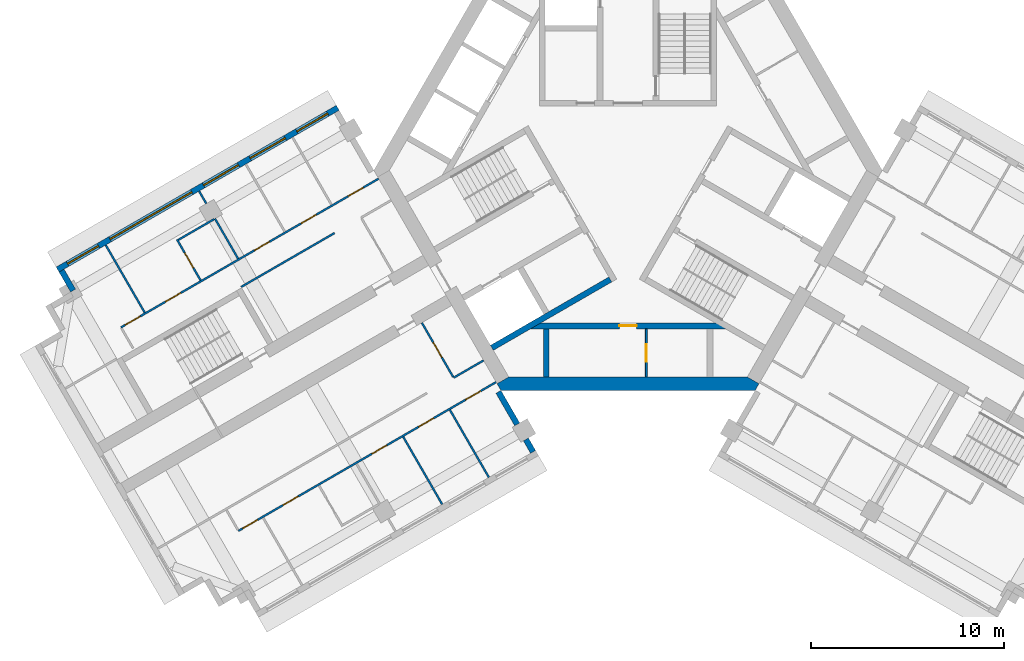
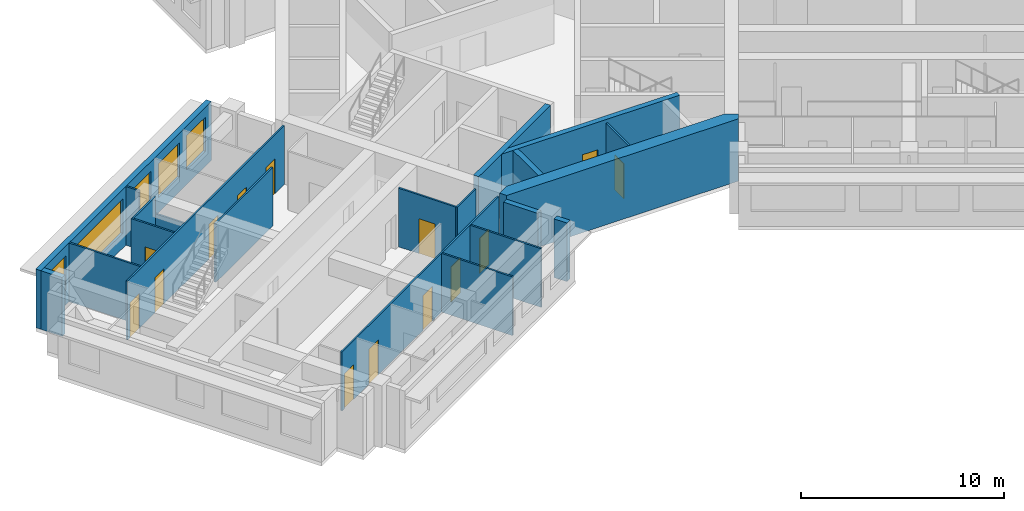
# One storey, part 3 of 10: 21 walls, 14 doors, 5 windows, 19 openings.
"""IFC4 building model written with IfcOpenShell, lengths in metres."""

from ifc_helpers import new_model, si_unit, direction, frame, frame_2d, origin, place, context, subcontext, project, spatial, polyline, rectangle, outline, extrude, material, layer, layer_set, type_object, element, fill, save


model = new_model("IFC4")

# Units and contexts
model_context = context("Model", 3, precision=1e-05, world=origin(), true_north=direction((0.0, 1.0)))
body_context = subcontext(model_context, "Body", "Model", "MODEL_VIEW")
ifc_project = project(units=[si_unit("LENGTHUNIT", "METRE"), si_unit("AREAUNIT", "SQUARE_METRE"), si_unit("VOLUMEUNIT", "CUBIC_METRE"), si_unit("PLANEANGLEUNIT", "RADIAN"), si_unit("MASSUNIT", "GRAM", prefix="KILO")], contexts=[model_context])

# Site, building, storey
site_placement = place(None, origin())
site = spatial("IfcSite", under=ifc_project, at=site_placement, CompositionType="ELEMENT")
building_placement = place(site_placement, origin())
building = spatial("IfcBuilding", under=site, at=building_placement, Name="Impinga Residences", CompositionType="ELEMENT")
storey_placement = place(building_placement, frame((0.0, 0.0, 267.25)))
storey = spatial("IfcBuildingStorey", under=building, at=storey_placement, Name="L67", CompositionType="ELEMENT", Elevation=267.25)

# Wall, opening, door
ifc_material_1 = material(Name="Concrete blockwork", Category="masonry")
ifc_layer_1 = layer(ifc_material_1, 0.10009765625)
ifc_layer_set_1 = layer_set([ifc_layer_1], Name="CP1 core room partition, blockwork 100")
wall_type_1 = type_object("IfcWallType", Name="CP1 core room partition, blockwork 100", PredefinedType="PARTITIONING", material=ifc_layer_set_1)
wall_1_placement = place(storey_placement, frame((0.949951171875, -8.2314453125, 0.0), z_axis=(0.0, 0.0, 1.0), x_axis=(0.0, -1.0, 0.0)))
wall_1 = element("IfcWall", 1, at=wall_1_placement, inside=storey, type_object=wall_type_1, Name="Core room partition, blockwork L67:CORE:low:ZP1", PredefinedType="PARTITIONING", context=body_context, shape_type="SweptSolid", body=[
    extrude(rectangle(XDim=2.5, YDim=0.10009765625, at=frame_2d((1.25, 0.0))), origin(), (0.0, 0.0, 1.0), 3.530029296875),
])
opening_1_placement = place(wall_1_placement, frame((0.800048828125, 0.0, 0.0)))
opening_1 = element("IfcOpeningElement", 2, at=opening_1_placement, cuts=wall_1, Name="Opening D6", PredefinedType="OPENING", context=body_context, shape_type="SweptSolid", body=[
    extrude(rectangle(XDim=0.89990234375, YDim=2.10009765625, at=frame_2d((0.449951171875, 1.050048828125))), frame((0.0, 0.06005859375, 0.0), z_axis=(0.0, -1.0, 0.0), x_axis=(1.0, 0.0, 0.0)), (0.0, 0.0, 1.0), 0.1201171875),
])
ifc_material_2 = material(Name="Timber door set", Category="wood")
door_type_1 = type_object("IfcDoorType", Name="D6 riser and store door 900x2100", OperationType="SINGLE_SWING_LEFT", PredefinedType="DOOR", material=ifc_material_2)
door_1_placement = place(opening_1_placement, origin())
door_1 = element("IfcDoor", 3, at=door_1_placement, inside=storey, type_object=door_type_1, Name="Cleaners' store door", OperationType="SINGLE_SWING_LEFT", OverallHeight=2.10009765625, OverallWidth=0.89990234375, PredefinedType="DOOR", context=body_context, shape_type="SweptSolid", body=[
    extrude(rectangle(XDim=0.89990234375, YDim=2.10009765625, at=frame_2d((0.449951171875, 1.050048828125))), frame((0.0, 0.02490234375, 0.0), z_axis=(0.0, -1.0, 0.0), x_axis=(1.0, 0.0, 0.0)), (0.0, 0.0, 1.0), 0.050048828125),
])
fill(opening_1, door_1)

# Wall
ifc_material_3 = material(Name="Terracotta rainscreen on blockwork", Category="masonry")
ifc_layer_2 = layer(ifc_material_3, 0.300048828125)
ifc_layer_set_2 = layer_set([ifc_layer_2], Name="EW1 external wall, terracotta rainscreen on blockwork 300")
wall_type_2 = type_object("IfcWallType", Name="EW1 external wall, terracotta rainscreen on blockwork 300", PredefinedType="SOLIDWALL", material=ifc_layer_set_2)
wall_2_placement = place(storey_placement, frame((-28.8193359375, -6.24658203125, 0.0), z_axis=(0.0, 0.0, 1.0), x_axis=(-0.500033551112, 0.866006032174, 0.0)))
element("IfcWall", 4, at=wall_2_placement, inside=storey, type_object=wall_type_2, Name="External wall EW1 L67", PredefinedType="SOLIDWALL", context=body_context, shape_type="SweptSolid", body=[
    extrude(rectangle(XDim=1.2001953125, YDim=0.300048828125, at=frame_2d((0.60009765625, 0.0))), origin(), (0.0, 0.0, 1.0), 3.530029296875),
])

# Wall, openings, windows
wall_3_placement = place(storey_placement, frame((-29.624267578125, -5.15234375, 0.0), z_axis=(0.0, 0.0, 1.0), x_axis=(0.86602925447, 0.499993330357, 0.0)))
wall_3 = element("IfcWall", 5, at=wall_3_placement, inside=storey, type_object=wall_type_2, Name="External wall EW1 L67", PredefinedType="SOLIDWALL", context=body_context, shape_type="SweptSolid", body=[
    extrude(rectangle(XDim=16.800048828125, YDim=0.300048828125, at=frame_2d((8.39990234375, 0.0))), origin(), (0.0, 0.0, 1.0), 3.530029296875),
])
opening_2_placement = place(wall_3_placement, frame((0.60009765625, 0.0, 0.89990234375)))
opening_2 = element("IfcOpeningElement", 6, at=opening_2_placement, cuts=wall_3, Name="Opening W15", PredefinedType="OPENING", context=body_context, shape_type="SweptSolid", body=[
    extrude(rectangle(XDim=1.85009765625, YDim=2.050048828125, at=frame_2d((0.925048828125, 1.02490234375))), frame((0.0, 0.159912109375, 0.0), z_axis=(0.0, -1.0, 0.0), x_axis=(1.0, 0.0, 0.0)), (0.0, 0.0, 1.0), 0.320068359375),
])
opening_3_placement = place(wall_3_placement, frame((3.14990234375, 0.0, 0.89990234375)))
opening_3 = element("IfcOpeningElement", 7, at=opening_3_placement, cuts=wall_3, Name="Opening W16", PredefinedType="OPENING", context=body_context, shape_type="SweptSolid", body=[
    extrude(rectangle(XDim=4.89990234375, YDim=2.050048828125, at=frame_2d((2.449951171875, 1.02490234375))), frame((0.0, 0.159912109375, 0.0), z_axis=(0.0, -1.0, 0.0), x_axis=(1.0, 0.0, 0.0)), (0.0, 0.0, 1.0), 0.320068359375),
])
opening_4_placement = place(wall_3_placement, frame((8.75, 0.0, 0.89990234375)))
opening_4 = element("IfcOpeningElement", 8, at=opening_4_placement, cuts=wall_3, Name="Opening W9", PredefinedType="OPENING", context=body_context, shape_type="SweptSolid", body=[
    extrude(rectangle(XDim=2.10009765625, YDim=2.050048828125, at=frame_2d((1.050048828125, 1.02490234375))), frame((0.0, 0.159912109375, 0.0), z_axis=(0.0, -1.0, 0.0), x_axis=(1.0, 0.0, 0.0)), (0.0, 0.0, 1.0), 0.320068359375),
])
opening_5_placement = place(wall_3_placement, frame((11.550048828125, 0.0, 0.89990234375)))
opening_5 = element("IfcOpeningElement", 9, at=opening_5_placement, cuts=wall_3, Name="Opening W9", PredefinedType="OPENING", context=body_context, shape_type="SweptSolid", body=[
    extrude(rectangle(XDim=2.10009765625, YDim=2.050048828125, at=frame_2d((1.050048828125, 1.02490234375))), frame((0.0, 0.159912109375, 0.0), z_axis=(0.0, -1.0, 0.0), x_axis=(1.0, 0.0, 0.0)), (0.0, 0.0, 1.0), 0.320068359375),
])
opening_6_placement = place(wall_3_placement, frame((14.35009765625, 0.0, 0.89990234375)))
opening_6 = element("IfcOpeningElement", 10, at=opening_6_placement, cuts=wall_3, Name="Opening W15", PredefinedType="OPENING", context=body_context, shape_type="SweptSolid", body=[
    extrude(rectangle(XDim=1.85009765625, YDim=2.050048828125, at=frame_2d((0.925048828125, 1.02490234375))), frame((0.0, 0.159912109375, 0.0), z_axis=(0.0, -1.0, 0.0), x_axis=(1.0, 0.0, 0.0)), (0.0, 0.0, 1.0), 0.320068359375),
])
ifc_material_4 = material(Name="Aluminium window, clear double glazing", Category="aluminium")
window_type_1 = type_object("IfcWindowType", Name="W15 ribbon window 1850x2050", PartitioningType="SINGLE_PANEL", PredefinedType="WINDOW", material=ifc_material_4)
window_1_placement = place(opening_2_placement, origin())
window_1 = element("IfcWindow", 11, at=window_1_placement, inside=storey, type_object=window_type_1, Name="Window L67", OverallHeight=2.050048828125, OverallWidth=1.85009765625, PartitioningType="SINGLE_PANEL", PredefinedType="WINDOW", context=body_context, shape_type="SweptSolid", body=[
    extrude(rectangle(XDim=1.85009765625, YDim=2.050048828125, at=frame_2d((0.925048828125, 1.02490234375))), frame((0.0, 0.030029296875, 0.0), z_axis=(0.0, -1.0, 0.0), x_axis=(1.0, 0.0, 0.0)), (0.0, 0.0, 1.0), 0.06005859375),
])
fill(opening_2, window_1)
window_2_placement = place(opening_6_placement, origin())
window_2 = element("IfcWindow", 12, at=window_2_placement, inside=storey, type_object=window_type_1, Name="Window L67", OverallHeight=2.050048828125, OverallWidth=1.85009765625, PartitioningType="SINGLE_PANEL", PredefinedType="WINDOW", context=body_context, shape_type="SweptSolid", body=[
    extrude(rectangle(XDim=1.85009765625, YDim=2.050048828125, at=frame_2d((0.925048828125, 1.02490234375))), frame((0.0, 0.030029296875, 0.0), z_axis=(0.0, -1.0, 0.0), x_axis=(1.0, 0.0, 0.0)), (0.0, 0.0, 1.0), 0.06005859375),
])
fill(opening_6, window_2)
window_type_2 = type_object("IfcWindowType", Name="W16 ribbon window 4900x2050", PartitioningType="SINGLE_PANEL", PredefinedType="WINDOW", material=ifc_material_4)
window_3_placement = place(opening_3_placement, origin())
window_3 = element("IfcWindow", 13, at=window_3_placement, inside=storey, type_object=window_type_2, Name="Window L67", OverallHeight=2.050048828125, OverallWidth=4.89990234375, PartitioningType="SINGLE_PANEL", PredefinedType="WINDOW", context=body_context, shape_type="SweptSolid", body=[
    extrude(rectangle(XDim=4.89990234375, YDim=2.050048828125, at=frame_2d((2.449951171875, 1.02490234375))), frame((0.0, 0.030029296875, 0.0), z_axis=(0.0, -1.0, 0.0), x_axis=(1.0, 0.0, 0.0)), (0.0, 0.0, 1.0), 0.06005859375),
])
fill(opening_3, window_3)
window_type_3 = type_object("IfcWindowType", Name="W9 ribbon window 2100x2050", PartitioningType="SINGLE_PANEL", PredefinedType="WINDOW", material=ifc_material_4)
window_4_placement = place(opening_4_placement, origin())
window_4 = element("IfcWindow", 14, at=window_4_placement, inside=storey, type_object=window_type_3, Name="Window L67", OverallHeight=2.050048828125, OverallWidth=2.10009765625, PartitioningType="SINGLE_PANEL", PredefinedType="WINDOW", context=body_context, shape_type="SweptSolid", body=[
    extrude(rectangle(XDim=2.10009765625, YDim=2.050048828125, at=frame_2d((1.050048828125, 1.02490234375))), frame((0.0, 0.030029296875, 0.0), z_axis=(0.0, -1.0, 0.0), x_axis=(1.0, 0.0, 0.0)), (0.0, 0.0, 1.0), 0.06005859375),
])
fill(opening_4, window_4)
window_5_placement = place(opening_5_placement, origin())
window_5 = element("IfcWindow", 15, at=window_5_placement, inside=storey, type_object=window_type_3, Name="Window L67", OverallHeight=2.050048828125, OverallWidth=2.10009765625, PartitioningType="SINGLE_PANEL", PredefinedType="WINDOW", context=body_context, shape_type="SweptSolid", body=[
    extrude(rectangle(XDim=2.10009765625, YDim=2.050048828125, at=frame_2d((1.050048828125, 1.02490234375))), frame((0.0, 0.030029296875, 0.0), z_axis=(0.0, -1.0, 0.0), x_axis=(1.0, 0.0, 0.0)), (0.0, 0.0, 1.0), 0.06005859375),
])
fill(opening_5, window_5)

# Walls
wall_4_placement = place(storey_placement, frame((-6.72998046875, -11.506591796875, 0.0), z_axis=(0.0, 0.0, 1.0), x_axis=(0.500043961785, -0.866000020948, 0.0)))
element("IfcWall", 16, at=wall_4_placement, inside=storey, type_object=wall_type_2, Name="External wall EW1 L67", PredefinedType="SOLIDWALL", context=body_context, shape_type="SweptSolid", body=[
    extrude(rectangle(XDim=1.949951171875, YDim=0.300048828125, at=frame_2d((0.97509765625, 0.0))), origin(), (0.0, 0.0, 1.0), 3.530029296875),
])
wall_5_placement = place(storey_placement, frame((-5.304931640625, -13.974609375, 0.0), z_axis=(0.0, 0.0, 1.0), x_axis=(0.499919672301, -0.866071776036, 0.0)))
element("IfcWall", 17, at=wall_5_placement, inside=storey, type_object=wall_type_2, Name="External wall EW1 L67", PredefinedType="SOLIDWALL", context=body_context, shape_type="SweptSolid", body=[
    extrude(rectangle(XDim=0.75, YDim=0.300048828125, at=frame_2d((0.375, 0.0))), origin(), (0.0, 0.0, 1.0), 3.530029296875),
])
ifc_material_5 = material(Name="Gypsum board on steel studs", Category="steel")
ifc_layer_3 = layer(ifc_material_5, 0.10009765625)
ifc_layer_set_3 = layer_set([ifc_layer_3], Name="Gypsum board on steel studs")
wall_type_3 = type_object("IfcWallType", Name="IP1 partition 100", PredefinedType="PARTITIONING", material=ifc_layer_set_3)
wall_6_placement = place(storey_placement, frame((-7.5, -9.872802734375, 0.0), z_axis=(0.0, 0.0, 1.0), x_axis=(-0.866047807691, -0.499961193289, 0.0)))
element("IfcWall", 18, at=wall_6_placement, inside=storey, type_object=wall_type_3, Name="Partition L67-WA1:DIV0", PredefinedType="PARTITIONING", context=body_context, shape_type="SweptSolid", body=[
    extrude(rectangle(XDim=1.800048828125, YDim=0.10009765625, at=frame_2d((0.89990234375, 0.0))), origin(), (0.0, 0.0, 1.0), 3.530029296875),
])

# Wall, openings, doors
wall_7_placement = place(storey_placement, frame((-6.85009765625, -10.99853515625, 0.0), z_axis=(0.0, 0.0, 1.0), x_axis=(-0.866019273868, -0.500010617176, 0.0)))
wall_7 = element("IfcWall", 19, at=wall_7_placement, inside=storey, type_object=wall_type_3, Name="Partition L67-WA1:STRIP", PredefinedType="PARTITIONING", context=body_context, shape_type="SweptSolid", body=[
    extrude(rectangle(XDim=15.449951171875, YDim=0.10009765625, at=frame_2d((7.72509765625, 0.0))), origin(), (0.0, 0.0, 1.0), 3.530029296875),
])
opening_7_placement = place(wall_7_placement, frame((0.925048828125, 0.0, 0.0)))
opening_7 = element("IfcOpeningElement", 20, at=opening_7_placement, cuts=wall_7, Name="Opening D2", PredefinedType="OPENING", context=body_context, shape_type="SweptSolid", body=[
    extrude(rectangle(XDim=0.89990234375, YDim=2.10009765625, at=frame_2d((0.449951171875, 1.050048828125))), frame((0.0, 0.06005859375, 0.0), z_axis=(0.0, -1.0, 0.0), x_axis=(1.0, 0.0, 0.0)), (0.0, 0.0, 1.0), 0.1201171875),
])
opening_8_placement = place(wall_7_placement, frame((3.75, 0.0, 0.0)))
opening_8 = element("IfcOpeningElement", 21, at=opening_8_placement, cuts=wall_7, Name="Opening D2", PredefinedType="OPENING", context=body_context, shape_type="SweptSolid", body=[
    extrude(rectangle(XDim=0.89990234375, YDim=2.10009765625, at=frame_2d((0.449951171875, 1.050048828125))), frame((0.0, 0.06005859375, 0.0), z_axis=(0.0, -1.0, 0.0), x_axis=(1.0, 0.0, 0.0)), (0.0, 0.0, 1.0), 0.1201171875),
])
opening_9_placement = place(wall_7_placement, frame((6.550048828125, 0.0, 0.0)))
opening_9 = element("IfcOpeningElement", 22, at=opening_9_placement, cuts=wall_7, Name="Opening D2", PredefinedType="OPENING", context=body_context, shape_type="SweptSolid", body=[
    extrude(rectangle(XDim=0.89990234375, YDim=2.10009765625, at=frame_2d((0.449951171875, 1.050048828125))), frame((0.0, 0.06005859375, 0.0), z_axis=(0.0, -1.0, 0.0), x_axis=(1.0, 0.0, 0.0)), (0.0, 0.0, 1.0), 0.1201171875),
])
opening_10_placement = place(wall_7_placement, frame((11.875, 0.0, 0.0)))
opening_10 = element("IfcOpeningElement", 23, at=opening_10_placement, cuts=wall_7, Name="Opening D2", PredefinedType="OPENING", context=body_context, shape_type="SweptSolid", body=[
    extrude(rectangle(XDim=0.89990234375, YDim=2.10009765625, at=frame_2d((0.449951171875, 1.050048828125))), frame((0.0, 0.06005859375, 0.0), z_axis=(0.0, -1.0, 0.0), x_axis=(1.0, 0.0, 0.0)), (0.0, 0.0, 1.0), 0.1201171875),
])
opening_11_placement = place(wall_7_placement, frame((14.300048828125, 0.0, 0.0)))
opening_11 = element("IfcOpeningElement", 24, at=opening_11_placement, cuts=wall_7, Name="Opening D2", PredefinedType="OPENING", context=body_context, shape_type="SweptSolid", body=[
    extrude(rectangle(XDim=0.89990234375, YDim=2.10009765625, at=frame_2d((0.449951171875, 1.050048828125))), frame((0.0, 0.06005859375, 0.0), z_axis=(0.0, -1.0, 0.0), x_axis=(1.0, 0.0, 0.0)), (0.0, 0.0, 1.0), 0.1201171875),
])
door_type_2 = type_object("IfcDoorType", Name="D2 internal door 900x2100", OperationType="SINGLE_SWING_LEFT", PredefinedType="DOOR", material=ifc_material_2)
door_2_placement = place(opening_7_placement, origin())
door_2 = element("IfcDoor", 25, at=door_2_placement, inside=storey, type_object=door_type_2, Name="Apartment L67-WA1 room door", OperationType="SINGLE_SWING_LEFT", OverallHeight=2.10009765625, OverallWidth=0.89990234375, PredefinedType="DOOR", context=body_context, shape_type="SweptSolid", body=[
    extrude(rectangle(XDim=0.89990234375, YDim=2.10009765625, at=frame_2d((0.449951171875, 1.050048828125))), frame((0.0, 0.02490234375, 0.0), z_axis=(0.0, -1.0, 0.0), x_axis=(1.0, 0.0, 0.0)), (0.0, 0.0, 1.0), 0.050048828125),
])
fill(opening_7, door_2)
door_3_placement = place(opening_8_placement, origin())
door_3 = element("IfcDoor", 26, at=door_3_placement, inside=storey, type_object=door_type_2, Name="Apartment L67-WA1 room door", OperationType="SINGLE_SWING_LEFT", OverallHeight=2.10009765625, OverallWidth=0.89990234375, PredefinedType="DOOR", context=body_context, shape_type="SweptSolid", body=[
    extrude(rectangle(XDim=0.89990234375, YDim=2.10009765625, at=frame_2d((0.449951171875, 1.050048828125))), frame((0.0, 0.02490234375, 0.0), z_axis=(0.0, -1.0, 0.0), x_axis=(1.0, 0.0, 0.0)), (0.0, 0.0, 1.0), 0.050048828125),
])
fill(opening_8, door_3)
door_4_placement = place(opening_9_placement, origin())
door_4 = element("IfcDoor", 27, at=door_4_placement, inside=storey, type_object=door_type_2, Name="Apartment L67-WA1 room door", OperationType="SINGLE_SWING_LEFT", OverallHeight=2.10009765625, OverallWidth=0.89990234375, PredefinedType="DOOR", context=body_context, shape_type="SweptSolid", body=[
    extrude(rectangle(XDim=0.89990234375, YDim=2.10009765625, at=frame_2d((0.449951171875, 1.050048828125))), frame((0.0, 0.02490234375, 0.0), z_axis=(0.0, -1.0, 0.0), x_axis=(1.0, 0.0, 0.0)), (0.0, 0.0, 1.0), 0.050048828125),
])
fill(opening_9, door_4)
door_5_placement = place(opening_10_placement, origin())
door_5 = element("IfcDoor", 28, at=door_5_placement, inside=storey, type_object=door_type_2, Name="Apartment L67-WA1 room door", OperationType="SINGLE_SWING_RIGHT", OverallHeight=2.10009765625, OverallWidth=0.89990234375, PredefinedType="DOOR", context=body_context, shape_type="SweptSolid", body=[
    extrude(rectangle(XDim=0.89990234375, YDim=2.10009765625, at=frame_2d((0.449951171875, 1.050048828125))), frame((0.0, 0.02490234375, 0.0), z_axis=(0.0, -1.0, 0.0), x_axis=(1.0, 0.0, 0.0)), (0.0, 0.0, 1.0), 0.050048828125),
])
fill(opening_10, door_5)
door_6_placement = place(opening_11_placement, origin())
door_6 = element("IfcDoor", 29, at=door_6_placement, inside=storey, type_object=door_type_2, Name="Apartment L67-WA1 room door", OperationType="SINGLE_SWING_RIGHT", OverallHeight=2.10009765625, OverallWidth=0.89990234375, PredefinedType="DOOR", context=body_context, shape_type="SweptSolid", body=[
    extrude(rectangle(XDim=0.89990234375, YDim=2.10009765625, at=frame_2d((0.449951171875, 1.050048828125))), frame((0.0, 0.02490234375, 0.0), z_axis=(0.0, -1.0, 0.0), x_axis=(1.0, 0.0, 0.0)), (0.0, 0.0, 1.0), 0.050048828125),
])
fill(opening_11, door_6)

# Wall, opening, door
wall_8_placement = place(storey_placement, frame((-10.708740234375, -7.914794921875, 0.0), z_axis=(0.0, 0.0, 1.0), x_axis=(0.499984717929, -0.866034226713, 0.0)))
wall_8 = element("IfcWall", 30, at=wall_8_placement, inside=storey, type_object=wall_type_3, Name="Partition L67-WA1:IB1", PredefinedType="PARTITIONING", context=body_context, shape_type="SweptSolid", body=[
    extrude(rectangle(XDim=3.25, YDim=0.10009765625, at=frame_2d((1.625, 0.0))), origin(), (0.0, 0.0, 1.0), 3.530029296875),
])
opening_12_placement = place(wall_8_placement, frame((1.175048828125, 0.0, 0.0)))
opening_12 = element("IfcOpeningElement", 31, at=opening_12_placement, cuts=wall_8, Name="Opening D2", PredefinedType="OPENING", context=body_context, shape_type="SweptSolid", body=[
    extrude(rectangle(XDim=0.89990234375, YDim=2.10009765625, at=frame_2d((0.449951171875, 1.050048828125))), frame((0.0, 0.06005859375, 0.0), z_axis=(0.0, -1.0, 0.0), x_axis=(1.0, 0.0, 0.0)), (0.0, 0.0, 1.0), 0.1201171875),
])
door_7_placement = place(opening_12_placement, origin())
door_7 = element("IfcDoor", 32, at=door_7_placement, inside=storey, type_object=door_type_2, Name="Apartment L67-WA1 bathroom door", OperationType="SINGLE_SWING_LEFT", OverallHeight=2.10009765625, OverallWidth=0.89990234375, PredefinedType="DOOR", context=body_context, shape_type="SweptSolid", body=[
    extrude(rectangle(XDim=0.89990234375, YDim=2.10009765625, at=frame_2d((0.449951171875, 1.050048828125))), frame((0.0, 0.02490234375, 0.0), z_axis=(0.0, -1.0, 0.0), x_axis=(1.0, 0.0, 0.0)), (0.0, 0.0, 1.0), 0.050048828125),
])
fill(opening_12, door_7)

# Walls
wall_9_placement = place(storey_placement, frame((-9.249755859375, -12.44189453125, 0.0), z_axis=(0.0, 0.0, 1.0), x_axis=(0.499990325971, -0.866030989016, 0.0)))
element("IfcWall", 33, at=wall_9_placement, inside=storey, type_object=wall_type_3, Name="Partition L67-WA1:OB1", PredefinedType="PARTITIONING", context=body_context, shape_type="SweptSolid", body=[
    extrude(rectangle(XDim=4.0498046875, YDim=0.10009765625, at=frame_2d((2.02490234375, 0.0))), origin(), (0.0, 0.0, 1.0), 3.530029296875),
])
wall_10_placement = place(storey_placement, frame((-11.6748046875, -13.841796875, 0.0), z_axis=(0.0, 0.0, 1.0), x_axis=(0.500035537042, -0.866004885491, 0.0)))
element("IfcWall", 34, at=wall_10_placement, inside=storey, type_object=wall_type_3, Name="Partition L67-WA1:OB2", PredefinedType="PARTITIONING", context=body_context, shape_type="SweptSolid", body=[
    extrude(rectangle(XDim=4.050048828125, YDim=0.10009765625, at=frame_2d((2.02490234375, 0.0))), origin(), (0.0, 0.0, 1.0), 3.530029296875),
])
wall_11_placement = place(storey_placement, frame((-15.244384765625, -3.2587890625, 0.0), z_axis=(0.0, 0.0, 1.0), x_axis=(-0.866026594901, -0.49999793692, 0.0)))
element("IfcWall", 35, at=wall_11_placement, inside=storey, type_object=wall_type_3, Name="Partition L67-WF1:DIV1", PredefinedType="PARTITIONING", context=body_context, shape_type="SweptSolid", body=[
    extrude(rectangle(XDim=5.60009765625, YDim=0.10009765625, at=frame_2d((2.800048828125, 0.0))), origin(), (0.0, 0.0, 1.0), 3.530029296875),
])

# Wall, openings, doors
wall_12_placement = place(storey_placement, frame((-12.949951171875, -0.43310546875, 0.0), z_axis=(0.0, 0.0, 1.0), x_axis=(-0.866030066916, -0.499991923133, 0.0)))
wall_12 = element("IfcWall", 36, at=wall_12_placement, inside=storey, type_object=wall_type_3, Name="Partition L67-WF1:STRIP", PredefinedType="PARTITIONING", context=body_context, shape_type="SweptSolid", body=[
    extrude(rectangle(XDim=15.449951171875, YDim=0.10009765625, at=frame_2d((7.72509765625, 0.0))), origin(), (0.0, 0.0, 1.0), 3.530029296875),
])
opening_13_placement = place(wall_12_placement, frame((0.925048828125, 0.0, 0.0)))
opening_13 = element("IfcOpeningElement", 37, at=opening_13_placement, cuts=wall_12, Name="Opening D2", PredefinedType="OPENING", context=body_context, shape_type="SweptSolid", body=[
    extrude(rectangle(XDim=0.89990234375, YDim=2.10009765625, at=frame_2d((0.449951171875, 1.050048828125))), frame((0.0, 0.06005859375, 0.0), z_axis=(0.0, -1.0, 0.0), x_axis=(1.0, 0.0, 0.0)), (0.0, 0.0, 1.0), 0.1201171875),
])
opening_14_placement = place(wall_12_placement, frame((3.75, 0.0, 0.0)))
opening_14 = element("IfcOpeningElement", 38, at=opening_14_placement, cuts=wall_12, Name="Opening D2", PredefinedType="OPENING", context=body_context, shape_type="SweptSolid", body=[
    extrude(rectangle(XDim=0.89990234375, YDim=2.10009765625, at=frame_2d((0.449951171875, 1.050048828125))), frame((0.0, 0.06005859375, 0.0), z_axis=(0.0, -1.0, 0.0), x_axis=(1.0, 0.0, 0.0)), (0.0, 0.0, 1.0), 0.1201171875),
])
opening_15_placement = place(wall_12_placement, frame((6.550048828125, 0.0, 0.0)))
opening_15 = element("IfcOpeningElement", 39, at=opening_15_placement, cuts=wall_12, Name="Opening D2", PredefinedType="OPENING", context=body_context, shape_type="SweptSolid", body=[
    extrude(rectangle(XDim=0.89990234375, YDim=2.10009765625, at=frame_2d((0.449951171875, 1.050048828125))), frame((0.0, 0.06005859375, 0.0), z_axis=(0.0, -1.0, 0.0), x_axis=(1.0, 0.0, 0.0)), (0.0, 0.0, 1.0), 0.1201171875),
])
opening_16_placement = place(wall_12_placement, frame((11.875, 0.0, 0.0)))
opening_16 = element("IfcOpeningElement", 40, at=opening_16_placement, cuts=wall_12, Name="Opening D2", PredefinedType="OPENING", context=body_context, shape_type="SweptSolid", body=[
    extrude(rectangle(XDim=0.89990234375, YDim=2.10009765625, at=frame_2d((0.449951171875, 1.050048828125))), frame((0.0, 0.06005859375, 0.0), z_axis=(0.0, -1.0, 0.0), x_axis=(1.0, 0.0, 0.0)), (0.0, 0.0, 1.0), 0.1201171875),
])
opening_17_placement = place(wall_12_placement, frame((14.300048828125, 0.0, 0.0)))
opening_17 = element("IfcOpeningElement", 41, at=opening_17_placement, cuts=wall_12, Name="Opening D2", PredefinedType="OPENING", context=body_context, shape_type="SweptSolid", body=[
    extrude(rectangle(XDim=0.89990234375, YDim=2.10009765625, at=frame_2d((0.449951171875, 1.050048828125))), frame((0.0, 0.06005859375, 0.0), z_axis=(0.0, -1.0, 0.0), x_axis=(1.0, 0.0, 0.0)), (0.0, 0.0, 1.0), 0.1201171875),
])
door_8_placement = place(opening_13_placement, origin())
door_8 = element("IfcDoor", 42, at=door_8_placement, inside=storey, type_object=door_type_2, Name="Apartment L67-WF1 room door", OperationType="SINGLE_SWING_LEFT", OverallHeight=2.10009765625, OverallWidth=0.89990234375, PredefinedType="DOOR", context=body_context, shape_type="SweptSolid", body=[
    extrude(rectangle(XDim=0.89990234375, YDim=2.10009765625, at=frame_2d((0.449951171875, 1.050048828125))), frame((0.0, 0.02490234375, 0.0), z_axis=(0.0, -1.0, 0.0), x_axis=(1.0, 0.0, 0.0)), (0.0, 0.0, 1.0), 0.050048828125),
])
fill(opening_13, door_8)
door_9_placement = place(opening_14_placement, origin())
door_9 = element("IfcDoor", 43, at=door_9_placement, inside=storey, type_object=door_type_2, Name="Apartment L67-WF1 room door", OperationType="SINGLE_SWING_LEFT", OverallHeight=2.10009765625, OverallWidth=0.89990234375, PredefinedType="DOOR", context=body_context, shape_type="SweptSolid", body=[
    extrude(rectangle(XDim=0.89990234375, YDim=2.10009765625, at=frame_2d((0.449951171875, 1.050048828125))), frame((0.0, 0.02490234375, 0.0), z_axis=(0.0, -1.0, 0.0), x_axis=(1.0, 0.0, 0.0)), (0.0, 0.0, 1.0), 0.050048828125),
])
fill(opening_14, door_9)
door_10_placement = place(opening_15_placement, origin())
door_10 = element("IfcDoor", 44, at=door_10_placement, inside=storey, type_object=door_type_2, Name="Apartment L67-WF1 room door", OperationType="SINGLE_SWING_LEFT", OverallHeight=2.10009765625, OverallWidth=0.89990234375, PredefinedType="DOOR", context=body_context, shape_type="SweptSolid", body=[
    extrude(rectangle(XDim=0.89990234375, YDim=2.10009765625, at=frame_2d((0.449951171875, 1.050048828125))), frame((0.0, 0.02490234375, 0.0), z_axis=(0.0, -1.0, 0.0), x_axis=(1.0, 0.0, 0.0)), (0.0, 0.0, 1.0), 0.050048828125),
])
fill(opening_15, door_10)
door_11_placement = place(opening_16_placement, origin())
door_11 = element("IfcDoor", 45, at=door_11_placement, inside=storey, type_object=door_type_2, Name="Apartment L67-WF1 room door", OperationType="SINGLE_SWING_RIGHT", OverallHeight=2.10009765625, OverallWidth=0.89990234375, PredefinedType="DOOR", context=body_context, shape_type="SweptSolid", body=[
    extrude(rectangle(XDim=0.89990234375, YDim=2.10009765625, at=frame_2d((0.449951171875, 1.050048828125))), frame((0.0, 0.02490234375, 0.0), z_axis=(0.0, -1.0, 0.0), x_axis=(1.0, 0.0, 0.0)), (0.0, 0.0, 1.0), 0.050048828125),
])
fill(opening_16, door_11)
door_12_placement = place(opening_17_placement, origin())
door_12 = element("IfcDoor", 46, at=door_12_placement, inside=storey, type_object=door_type_2, Name="Apartment L67-WF1 room door", OperationType="SINGLE_SWING_RIGHT", OverallHeight=2.10009765625, OverallWidth=0.89990234375, PredefinedType="DOOR", context=body_context, shape_type="SweptSolid", body=[
    extrude(rectangle(XDim=0.89990234375, YDim=2.10009765625, at=frame_2d((0.449951171875, 1.050048828125))), frame((0.0, 0.02490234375, 0.0), z_axis=(0.0, -1.0, 0.0), x_axis=(1.0, 0.0, 0.0)), (0.0, 0.0, 1.0), 0.050048828125),
])
fill(opening_17, door_12)

# Walls
wall_13_placement = place(storey_placement, frame((-20.24951171875, -4.589599609375, 0.0), z_axis=(0.0, 0.0, 1.0), x_axis=(-0.500077600433, 0.865980596518, 0.0)))
element("IfcWall", 47, at=wall_13_placement, inside=storey, type_object=wall_type_3, Name="Partition L67-WF1:OB3", PredefinedType="PARTITIONING", context=body_context, shape_type="SweptSolid", body=[
    extrude(rectangle(XDim=2.39990234375, YDim=0.10009765625, at=frame_2d((1.199951171875, 0.0))), origin(), (0.0, 0.0, 1.0), 2.47998046875),
])
wall_14_placement = place(storey_placement, frame((-21.899658203125, -1.73193359375, 0.0), z_axis=(0.0, 0.0, 1.0), x_axis=(-0.499919672301, 0.866071776036, 0.0)))
element("IfcWall", 48, at=wall_14_placement, inside=storey, type_object=wall_type_3, Name="Partition L67-WF1:OB3b", PredefinedType="PARTITIONING", context=body_context, shape_type="SweptSolid", body=[
    extrude(rectangle(XDim=0.75, YDim=0.10009765625, at=frame_2d((0.375, 0.0))), origin(), (0.0, 0.0, 1.0), 3.530029296875),
])
wall_15_placement = place(storey_placement, frame((-25.099365234375, -7.3896484375, 0.0), z_axis=(0.0, 0.0, 1.0), x_axis=(-0.499990325971, 0.866030989016, 0.0)))
element("IfcWall", 49, at=wall_15_placement, inside=storey, type_object=wall_type_3, Name="Partition L67-WF1:OB4", PredefinedType="PARTITIONING", context=body_context, shape_type="SweptSolid", body=[
    extrude(rectangle(XDim=4.0498046875, YDim=0.10009765625, at=frame_2d((2.02490234375, 0.0))), origin(), (0.0, 0.0, 1.0), 3.530029296875),
])

# Wall, opening, door
wall_16_placement = place(storey_placement, frame((-22.1982421875, -5.714599609375, 0.0), z_axis=(0.0, 0.0, 1.0), x_axis=(-0.499987006516, 0.866032905446, 0.0)))
wall_16 = element("IfcWall", 50, at=wall_16_placement, inside=storey, type_object=wall_type_3, Name="Partition L67-WF1:EN1", PredefinedType="PARTITIONING", context=body_context, shape_type="SweptSolid", body=[
    extrude(rectangle(XDim=2.44970703125, YDim=0.10009765625, at=frame_2d((1.224853515625, 0.0))), origin(), (0.0, 0.0, 1.0), 3.530029296875),
])
opening_18_placement = place(wall_16_placement, frame((0.75, 0.0, 0.0)))
opening_18 = element("IfcOpeningElement", 51, at=opening_18_placement, cuts=wall_16, Name="Opening D2", PredefinedType="OPENING", context=body_context, shape_type="SweptSolid", body=[
    extrude(rectangle(XDim=0.89990234375, YDim=2.10009765625, at=frame_2d((0.449951171875, 1.050048828125))), frame((0.0, 0.06005859375, 0.0), z_axis=(0.0, -1.0, 0.0), x_axis=(1.0, 0.0, 0.0)), (0.0, 0.0, 1.0), 0.1201171875),
])
door_13_placement = place(opening_18_placement, origin())
door_13 = element("IfcDoor", 52, at=door_13_placement, inside=storey, type_object=door_type_2, Name="Apartment L67-WF1 en-suite door", OperationType="SINGLE_SWING_LEFT", OverallHeight=2.10009765625, OverallWidth=0.89990234375, PredefinedType="DOOR", context=body_context, shape_type="SweptSolid", body=[
    extrude(rectangle(XDim=0.89990234375, YDim=2.10009765625, at=frame_2d((0.449951171875, 1.050048828125))), frame((0.0, 0.02490234375, 0.0), z_axis=(0.0, -1.0, 0.0), x_axis=(1.0, 0.0, 0.0)), (0.0, 0.0, 1.0), 0.050048828125),
])
fill(opening_18, door_13)

# Walls
wall_17_placement = place(storey_placement, frame((-21.492919921875, -2.5361328125, 0.0), z_axis=(0.0, 0.0, 1.0), x_axis=(-0.865998386012, -0.500046793234, 0.0)))
element("IfcWall", 53, at=wall_17_placement, inside=storey, type_object=wall_type_3, Name="Partition L67-WF1:EN2", PredefinedType="PARTITIONING", context=body_context, shape_type="SweptSolid", body=[
    extrude(rectangle(XDim=2.150146484375, YDim=0.10009765625, at=frame_2d((1.0751953125, 0.0))), origin(), (0.0, 0.0, 1.0), 3.530029296875),
])
ifc_material_6 = material(Name="Concrete C60/75", Category="concrete")
ifc_layer_4 = layer(ifc_material_6, 0.699951171875)
ifc_layer_set_4 = layer_set([ifc_layer_4], Name="Concrete C60/75")
wall_type_4 = type_object("IfcWallType", Name="SW3 core wall 700", PredefinedType="SHEAR", material=ifc_layer_set_4)
wall_18_placement = place(storey_placement, origin())
element("IfcWall", 54, at=wall_18_placement, inside=storey, type_object=wall_type_4, Name="Core wall SW3 N:EXPOSED L67", PredefinedType="SHEAR", context=body_context, shape_type="SweptSolid", body=[
    extrude(outline(polyline([(-6.60009765625, -11.431640625), (6.60009765625, -11.431640625), (6.802001953125, -11.08154296875), (6.19580078125, -10.7314453125), (-6.19580078125, -10.7314453125), (-6.802001953125, -11.08154296875), (-6.60009765625, -11.431640625)])), origin(), (0.0, 0.0, 1.0), 3.75),
])
ifc_material_7 = material(Name="Concrete C70/85", Category="concrete")
ifc_layer_5 = layer(ifc_material_7, 0.300048828125)
ifc_layer_set_5 = layer_set([ifc_layer_5], Name="Concrete C70/85")
wall_type_5 = type_object("IfcWallType", Name="SW5 core inner wall, stairs, shafts and lobbies 300", PredefinedType="SHEAR", material=ifc_layer_set_5)
wall_19_placement = place(storey_placement, frame((-0.918701171875, -5.668701171875, 0.0), z_axis=(0.0, 0.0, 1.0), x_axis=(-0.866025859768, -0.499999210213, 0.0)))
element("IfcWall", 55, at=wall_19_placement, inside=storey, type_object=wall_type_5, Name="Core wall SW5 W:FF-OUT L67", PredefinedType="SHEAR", context=body_context, shape_type="SweptSolid", body=[
    extrude(rectangle(XDim=7.1015625, YDim=0.300048828125, at=frame_2d((3.55078125, 0.0))), origin(), (0.0, 0.0, 1.0), 3.75),
])

# Wall, opening, door
wall_20_placement = place(storey_placement, frame((5.09765625, -8.08154296875, 0.0), z_axis=(0.0, 0.0, 1.0), x_axis=(-1.0, 0.0, 0.0)))
wall_20 = element("IfcWall", 56, at=wall_20_placement, inside=storey, type_object=wall_type_5, Name="Core wall SW5 N:BANK-FRONT L67", PredefinedType="SHEAR", context=body_context, shape_type="SweptSolid", body=[
    extrude(rectangle(XDim=10.1953125, YDim=0.300048828125, at=frame_2d((5.09765625, 0.0))), origin(), (0.0, 0.0, 1.0), 3.75),
])
opening_19_placement = place(wall_20_placement, frame((4.647705078125, 0.0, 0.0)))
opening_19 = element("IfcOpeningElement", 57, at=opening_19_placement, cuts=wall_20, Name="Opening D6", PredefinedType="OPENING", context=body_context, shape_type="SweptSolid", body=[
    extrude(rectangle(XDim=0.89990234375, YDim=2.10009765625, at=frame_2d((0.449951171875, 1.050048828125))), frame((0.0, 0.159912109375, 0.0), z_axis=(0.0, -1.0, 0.0), x_axis=(1.0, 0.0, 0.0)), (0.0, 0.0, 1.0), 0.320068359375),
])
door_14_placement = place(opening_19_placement, origin())
door_14 = element("IfcDoor", 58, at=door_14_placement, inside=storey, type_object=door_type_1, Name="Vending and ice room door", OperationType="SINGLE_SWING_LEFT", OverallHeight=2.10009765625, OverallWidth=0.89990234375, PredefinedType="DOOR", context=body_context, shape_type="SweptSolid", body=[
    extrude(rectangle(XDim=0.89990234375, YDim=2.10009765625, at=frame_2d((0.449951171875, 1.050048828125))), frame((0.0, 0.02490234375, 0.0), z_axis=(0.0, -1.0, 0.0), x_axis=(1.0, 0.0, 0.0)), (0.0, 0.0, 1.0), 0.050048828125),
])
fill(opening_19, door_14)

# Wall
wall_21_placement = place(storey_placement, frame((-4.25, -8.2314453125, 0.0), z_axis=(0.0, 0.0, 1.0), x_axis=(0.0, -1.0, 0.0)))
element("IfcWall", 59, at=wall_21_placement, inside=storey, type_object=wall_type_5, Name="Core wall SW5 N:BANK-R L67", PredefinedType="SHEAR", context=body_context, shape_type="SweptSolid", body=[
    extrude(rectangle(XDim=2.5, YDim=0.300048828125, at=frame_2d((1.25, 0.0))), origin(), (0.0, 0.0, 1.0), 3.75),
])

save(model, "model.ifc")
